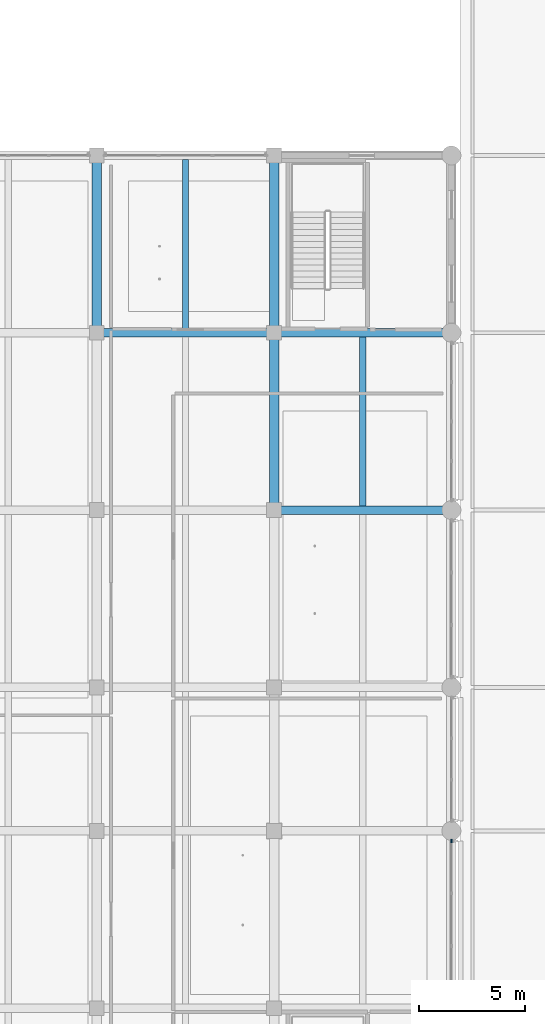
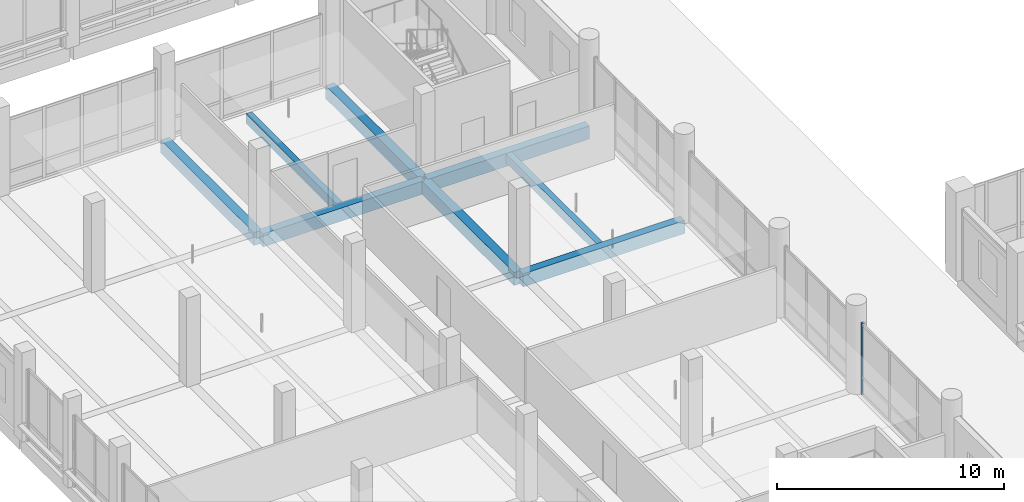
# One storey, part 15 of 128: 8 beams, 1 member, 1 element without a shape of its own.
"""IFC4 building model written with IfcOpenShell, lengths in metres."""

from ifc_helpers import new_model, si_unit, direction, frame, origin, origin_2d, place, context, subcontext, project, spatial, rectangle, extrude, material, layer, layer_set, material_profile, profile_set, type_object, element, aggregate, save


model = new_model("IFC4")

# Units and contexts
model_context = context("Model", 3, precision=1e-05, world=origin(), true_north=direction((0.0, 1.0)))
body_context = subcontext(model_context, "Body", "Model", "MODEL_VIEW")
ifc_project = project(units=[si_unit("LENGTHUNIT", "METRE"), si_unit("AREAUNIT", "SQUARE_METRE"), si_unit("VOLUMEUNIT", "CUBIC_METRE"), si_unit("PLANEANGLEUNIT", "RADIAN"), si_unit("MASSUNIT", "GRAM", prefix="KILO")], contexts=[model_context])

# Site, building, storey
site_placement = place(None, origin())
site = spatial("IfcSite", under=ifc_project, at=site_placement, CompositionType="ELEMENT")
building_placement = place(site_placement, origin())
building = spatial("IfcBuilding", under=site, at=building_placement, Name="Telukmera Botanical Conservatory", CompositionType="ELEMENT")
storey_placement = place(building_placement, frame((0.0, 0.0, 5.39990234375)))
storey = spatial("IfcBuildingStorey", under=building, at=storey_placement, Name="L01", CompositionType="ELEMENT", Elevation=5.39990234375)

# Beams
ifc_material_1 = material(Name="Concrete C40/50", Category="concrete")
ifc_material_profile_1 = material_profile(ifc_material_1, rectangle(XDim=0.449951171875, YDim=0.699951171875, at=origin_2d()), Name="RC 450x700")
ifc_profile_set_1 = profile_set([ifc_material_profile_1], Name="Concrete C40/50")
beam_type_1 = type_object("IfcBeamType", Name="Beam_B15", PredefinedType="BEAM", material=ifc_profile_set_1)
for number, where, z_axis, x_axis, name in (
    (1, (25.199951171875, 66.47998046875, -0.349853515625), (0.0, 1.0, 0.0), (-1.0, 0.0, 0.0), "Visitor Wing Transverse Beam L01"),
    (2, (33.60009765625, 58.080078125, -0.349853515625), (0.0, 1.0, 0.0), (-1.0, 0.0, 0.0), "Visitor Wing Transverse Beam L01"),
    (3, (33.60009765625, 66.47998046875, -0.349853515625), (0.0, 1.0, 0.0), (-1.0, 0.0, 0.0), "Visitor Wing Transverse Beam L01"),
):
    element("IfcBeam", number, at=place(storey_placement, frame(where, z_axis=z_axis, x_axis=x_axis)), inside=storey, type_object=beam_type_1, Name=name, PredefinedType="BEAM", context=body_context, shape_type="SweptSolid", body=[
        extrude(rectangle(XDim=0.449951171875, YDim=0.699951171875, at=origin_2d()), origin(), (0.0, 0.0, 1.0), 8.239990234375),
    ])
ifc_material_profile_2 = material_profile(ifc_material_1, rectangle(XDim=0.300048828125, YDim=0.5, at=origin_2d()), Name="RC 300x500")
ifc_profile_set_2 = profile_set([ifc_material_profile_2], Name="Concrete C40/50")
beam_type_2 = type_object("IfcBeamType", Name="Beam_B24", PredefinedType="JOIST", material=ifc_profile_set_2)
for number, where, z_axis, x_axis, name in (
    (4, (29.39990234375, 66.60009765625, -0.25), (0.0, 1.0, 0.0), (-1.0, 0.0, 0.0), "Visitor Wing Floor Joist L01"),
    (5, (37.800048828125, 58.199951171875, -0.25), (0.0, 1.0, 0.0), (-1.0, 0.0, 0.0), "Visitor Wing Floor Joist L01"),
):
    element("IfcBeam", number, at=place(storey_placement, frame(where, z_axis=z_axis, x_axis=x_axis)), inside=storey, type_object=beam_type_2, Name=name, PredefinedType="JOIST", context=body_context, shape_type="SweptSolid", body=[
        extrude(rectangle(XDim=0.300048828125, YDim=0.5, at=origin_2d()), origin(), (0.0, 0.0, 1.0), 8.0),
    ])
ifc_material_profile_3 = material_profile(ifc_material_1, rectangle(XDim=0.39990234375, YDim=0.699951171875, at=origin_2d()), Name="RC 400x700")
ifc_profile_set_3 = profile_set([ifc_material_profile_3], Name="Concrete C40/50")
beam_type_3 = type_object("IfcBeamType", Name="Beam_B7", PredefinedType="BEAM", material=ifc_profile_set_3)
for number, where, z_axis, x_axis, name in (
    (6, (33.679931640625, 58.0, -0.349853515625), (1.0, 0.0, 0.0), (0.0, 1.0, 0.0), "Visitor Wing Grid Beam L01"),
    (7, (25.280029296875, 66.39990234375, -0.349853515625), (1.0, 0.0, 0.0), (0.0, 1.0, 0.0), "Visitor Wing Grid Beam L01"),
    (8, (33.679931640625, 66.39990234375, -0.349853515625), (1.0, 0.0, 0.0), (0.0, 1.0, 0.0), "Visitor Wing Grid Beam L01"),
):
    element("IfcBeam", number, at=place(storey_placement, frame(where, z_axis=z_axis, x_axis=x_axis)), inside=storey, type_object=beam_type_3, Name=name, PredefinedType="BEAM", context=body_context, shape_type="SweptSolid", body=[
        extrude(rectangle(XDim=0.39990234375, YDim=0.699951171875, at=origin_2d()), origin(), (0.0, 0.0, 1.0), 8.239990234375),
    ])

# Curtain wall, member
ifc_material_2 = material(Name="Anodised aluminium 6063-T6", Category="aluminium")
ifc_layer = layer(ifc_material_2, 0.179931640625)
ifc_layer_set = layer_set([ifc_layer], Name="Anodised aluminium 6063-T6")
curtain_wall_type = type_object("IfcCurtainWallType", Name="Visitor Gallery Second Floor Curtain Wall 2400 Mod", PredefinedType="USERDEFINED", material=ifc_layer_set)
curtain_wall_placement = place(storey_placement, origin())
curtain_wall = element("IfcCurtainWall", 9, at=curtain_wall_placement, inside=storey, type_object=curtain_wall_type, Name="Unitised Curtain Wall CW09 V3:L01:E3", ObjectType="UNITISED CURTAIN WALL", PredefinedType="USERDEFINED")
ifc_material_profile_4 = material_profile(ifc_material_2, rectangle(XDim=0.06494140625, YDim=0.159912109375, at=origin_2d()), Name="ALU MULL 65x160")
ifc_profile_set_4 = profile_set([ifc_material_profile_4], Name="Anodised aluminium 6063-T6")
member_type = type_object("IfcMemberType", Name="Curtain Wall Extruded Mullion 65x160", PredefinedType="MULLION", material=ifc_profile_set_4)
member_placement = place(storey_placement, frame((42.0, 42.3154296875, 0.0), z_axis=(0.0, 0.0, 1.0), x_axis=(-1.0, 0.0, 0.0)))
member = element("IfcMember", 10, at=member_placement, type_object=member_type, Name="CW09 mullion 4", PredefinedType="MULLION", context=body_context, shape_type="SweptSolid", body=[
    extrude(rectangle(XDim=0.06494140625, YDim=0.159912109375, at=origin_2d()), origin(), (0.0, 0.0, 1.0), 3.85009765625),
])
aggregate(curtain_wall, [member])

save(model, "model.ifc")
